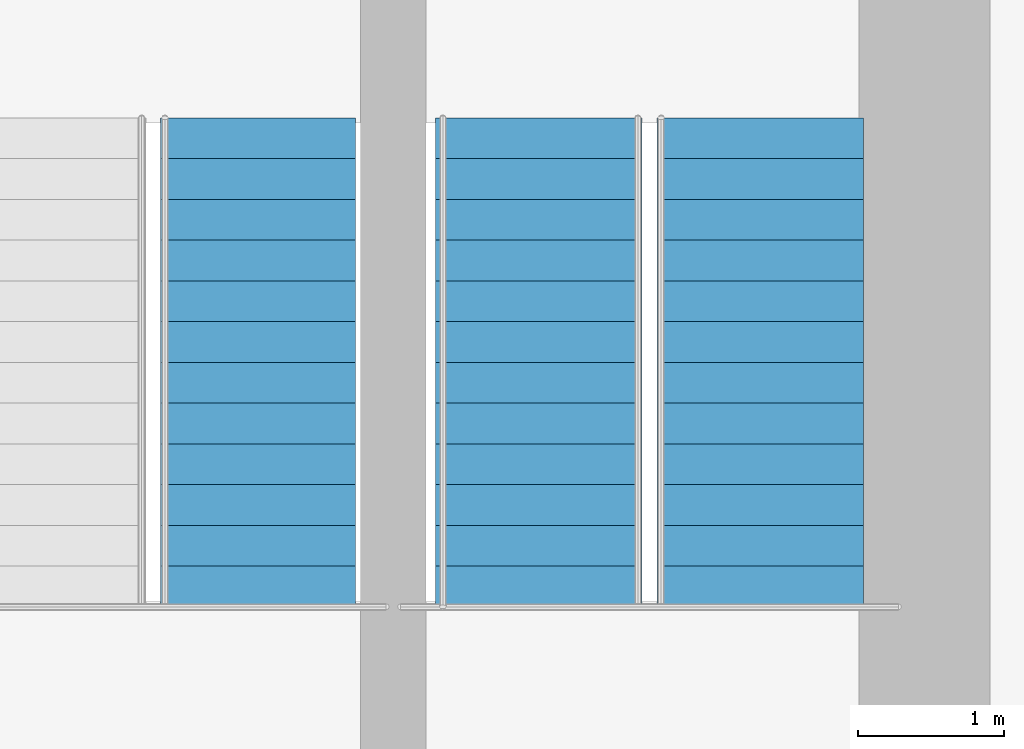
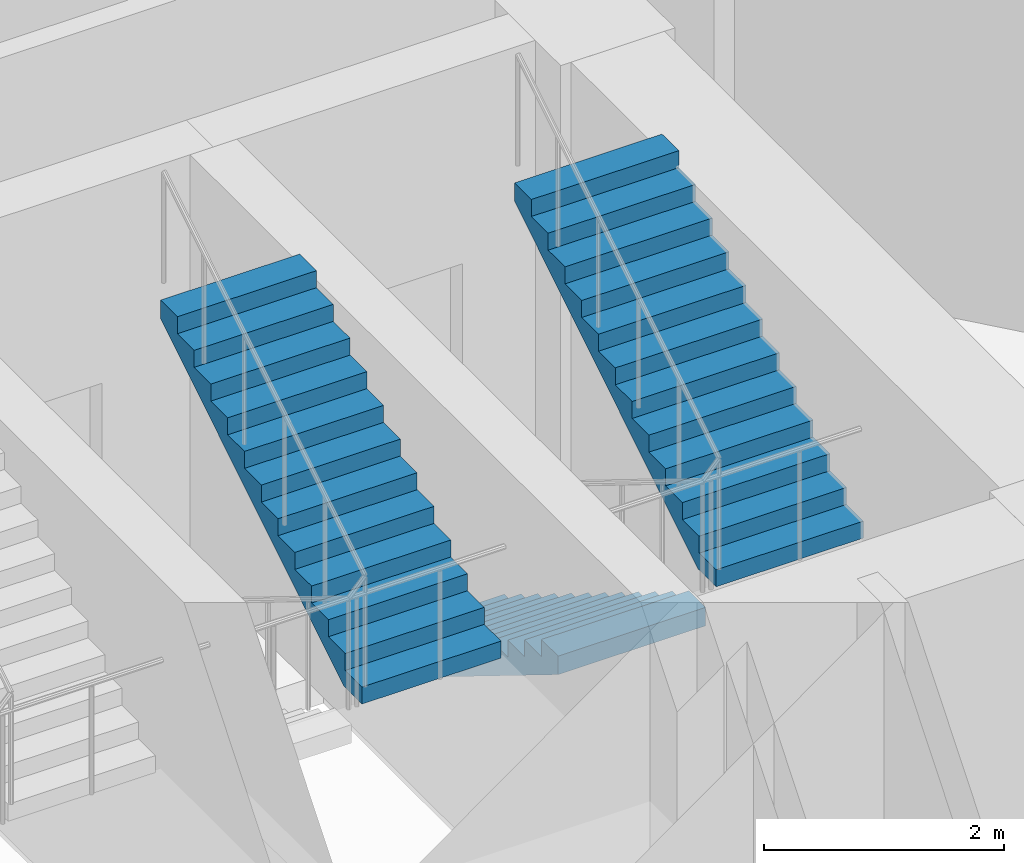
# One storey, part 6 of 8: 3 stair flights, 2 elements without a shape of their own.
"""IFC4 building model written with IfcOpenShell, lengths in metres."""

from ifc_helpers import new_model, si_unit, direction, frame, origin, place, context, subcontext, project, spatial, polyline, outline, extrude, material, type_object, element, aggregate, save


model = new_model("IFC4")

# Units and contexts
model_context = context("Model", 3, precision=1e-05, world=origin(), true_north=direction((0.0, 1.0)))
body_context = subcontext(model_context, "Body", "Model", "MODEL_VIEW")
ifc_project = project(units=[si_unit("LENGTHUNIT", "METRE"), si_unit("AREAUNIT", "SQUARE_METRE"), si_unit("VOLUMEUNIT", "CUBIC_METRE"), si_unit("PLANEANGLEUNIT", "RADIAN"), si_unit("MASSUNIT", "GRAM", prefix="KILO")], contexts=[model_context])

# Site, building, storey
site_placement = place(None, origin())
site = spatial("IfcSite", under=ifc_project, at=site_placement, CompositionType="ELEMENT")
building_placement = place(site_placement, origin())
building = spatial("IfcBuilding", under=site, at=building_placement, Name="Nuhasar Tower", CompositionType="ELEMENT")
storey_placement = place(building_placement, frame((0.0, 0.0, -4.5)))
storey = spatial("IfcBuildingStorey", under=building, at=storey_placement, Name="B1", CompositionType="ELEMENT", Elevation=-4.5)

# Stair, stair flights
ifc_material = material(Name="Concrete C45/55", Category="concrete")
stair_type_1 = type_object("IfcStairType", Name="STR-ST-02-2F-26R-1731", PredefinedType="HALF_TURN_STAIR", material=ifc_material)
stair_1_placement = place(storey_placement, origin())
stair_1 = element("IfcStair", 1, at=stair_1_placement, inside=storey, type_object=stair_type_1, Name="B1 Exit Stair ST-02", PredefinedType="HALF_TURN_STAIR")
stair_flight_type_1 = type_object("IfcStairFlightType", Name="SFL-ST-02-13R-1731", PredefinedType="STRAIGHT", material=ifc_material)
stair_flight_1_placement = place(storey_placement, frame((41.64990234375, 35.284912109375, 0.0), z_axis=(0.0, 0.0, 1.0), x_axis=(0.0, -1.0, 0.0)))
stair_flight_1 = element("IfcStairFlight", 2, at=stair_flight_1_placement, type_object=stair_flight_type_1, Name="ST-02 flight 1", NumberOfRisers=13, NumberOfTreads=12, PredefinedType="STRAIGHT", RiserHeight=0.173077, TreadLength=0.28, context=body_context, shape_type="SweptSolid", body=[
    extrude(outline(polyline([(0.0, 0.0), (0.0, 0.173095703125), (0.280029296875, 0.173095703125), (0.280029296875, 0.34619140625), (0.56005859375, 0.34619140625), (0.56005859375, 0.519287109375), (0.840087890625, 0.519287109375), (0.840087890625, 0.6923828125), (1.1201171875, 0.6923828125), (1.1201171875, 0.865478515625), (1.39990234375, 0.865478515625), (1.39990234375, 1.03857421875), (1.679931640625, 1.03857421875), (1.679931640625, 1.21142578125), (1.9599609375, 1.21142578125), (1.9599609375, 1.384521484375), (2.239990234375, 1.384521484375), (2.239990234375, 1.5576171875), (2.52001953125, 1.5576171875), (2.52001953125, 1.730712890625), (2.800048828125, 1.730712890625), (2.800048828125, 1.90380859375), (3.080078125, 1.90380859375), (3.080078125, 2.076904296875), (3.360107421875, 2.076904296875), (3.360107421875, 2.25), (3.360107421875, 1.888916015625), (0.30419921875, 0.0), (0.0, 0.0)])), frame((0.0, 0.7099609375, 0.0), z_axis=(0.0, -1.0, 0.0), x_axis=(1.0, 0.0, 0.0)), (0.0, 0.0, 1.0), 1.419921875),
])
stair_flight_2_placement = place(storey_placement, frame((43.169921875, 31.925048828125, 2.25), z_axis=(0.0, 0.0, 1.0), x_axis=(0.0, 1.0, 0.0)))
stair_flight_2 = element("IfcStairFlight", 3, at=stair_flight_2_placement, type_object=stair_flight_type_1, Name="ST-02 flight 2", NumberOfRisers=13, NumberOfTreads=12, PredefinedType="STRAIGHT", RiserHeight=0.173077, TreadLength=0.28, context=body_context, shape_type="SweptSolid", body=[
    extrude(outline(polyline([(0.0, 0.0), (0.0, 0.173095703125), (0.280029296875, 0.173095703125), (0.280029296875, 0.34619140625), (0.56005859375, 0.34619140625), (0.56005859375, 0.519287109375), (0.840087890625, 0.519287109375), (0.840087890625, 0.6923828125), (1.1201171875, 0.6923828125), (1.1201171875, 0.865478515625), (1.39990234375, 0.865478515625), (1.39990234375, 1.03857421875), (1.679931640625, 1.03857421875), (1.679931640625, 1.21142578125), (1.9599609375, 1.21142578125), (1.9599609375, 1.384521484375), (2.239990234375, 1.384521484375), (2.239990234375, 1.5576171875), (2.52001953125, 1.5576171875), (2.52001953125, 1.730712890625), (2.800048828125, 1.730712890625), (2.800048828125, 1.90380859375), (3.080078125, 1.90380859375), (3.080078125, 2.076904296875), (3.360107421875, 2.076904296875), (3.360107421875, 2.25), (3.360107421875, 1.888916015625), (0.30419921875, 0.0), (0.0, 0.0)])), frame((0.0, 0.7099609375, 0.0), z_axis=(0.0, -1.0, 0.0), x_axis=(1.0, 0.0, 0.0)), (0.0, 0.0, 1.0), 1.419921875),
])
aggregate(stair_1, [stair_flight_1, stair_flight_2])

# Stair, stair flight
stair_type_2 = type_object("IfcStairType", Name="STR-ST-03-2F-26R-1731", PredefinedType="HALF_TURN_STAIR", material=ifc_material)
stair_2_placement = place(storey_placement, origin())
stair_2 = element("IfcStair", 4, at=stair_2_placement, inside=storey, type_object=stair_type_2, Name="B1 Exit Stair ST-03", PredefinedType="HALF_TURN_STAIR")
stair_flight_type_2 = type_object("IfcStairFlightType", Name="SFL-ST-03-13R-1731", PredefinedType="STRAIGHT", material=ifc_material)
stair_flight_3_placement = place(storey_placement, frame((39.719970703125, 31.925048828125, 2.25), z_axis=(0.0, 0.0, 1.0), x_axis=(0.0, 1.0, 0.0)))
stair_flight_3 = element("IfcStairFlight", 5, at=stair_flight_3_placement, type_object=stair_flight_type_2, Name="ST-03 flight 2", NumberOfRisers=13, NumberOfTreads=12, PredefinedType="STRAIGHT", RiserHeight=0.173077, TreadLength=0.28, context=body_context, shape_type="SweptSolid", body=[
    extrude(outline(polyline([(0.0, 0.0), (0.0, 0.173095703125), (0.280029296875, 0.173095703125), (0.280029296875, 0.34619140625), (0.56005859375, 0.34619140625), (0.56005859375, 0.519287109375), (0.840087890625, 0.519287109375), (0.840087890625, 0.6923828125), (1.1201171875, 0.6923828125), (1.1201171875, 0.865478515625), (1.39990234375, 0.865478515625), (1.39990234375, 1.03857421875), (1.679931640625, 1.03857421875), (1.679931640625, 1.21142578125), (1.9599609375, 1.21142578125), (1.9599609375, 1.384521484375), (2.239990234375, 1.384521484375), (2.239990234375, 1.5576171875), (2.52001953125, 1.5576171875), (2.52001953125, 1.730712890625), (2.800048828125, 1.730712890625), (2.800048828125, 1.90380859375), (3.080078125, 1.90380859375), (3.080078125, 2.076904296875), (3.360107421875, 2.076904296875), (3.360107421875, 2.25), (3.360107421875, 1.888916015625), (0.30419921875, 0.0), (0.0, 0.0)])), frame((0.0, 0.669921875, 0.0), z_axis=(0.0, -1.0, 0.0), x_axis=(1.0, 0.0, 0.0)), (0.0, 0.0, 1.0), 1.340087890625),
])
aggregate(stair_2, [stair_flight_3])

save(model, "model.ifc")
